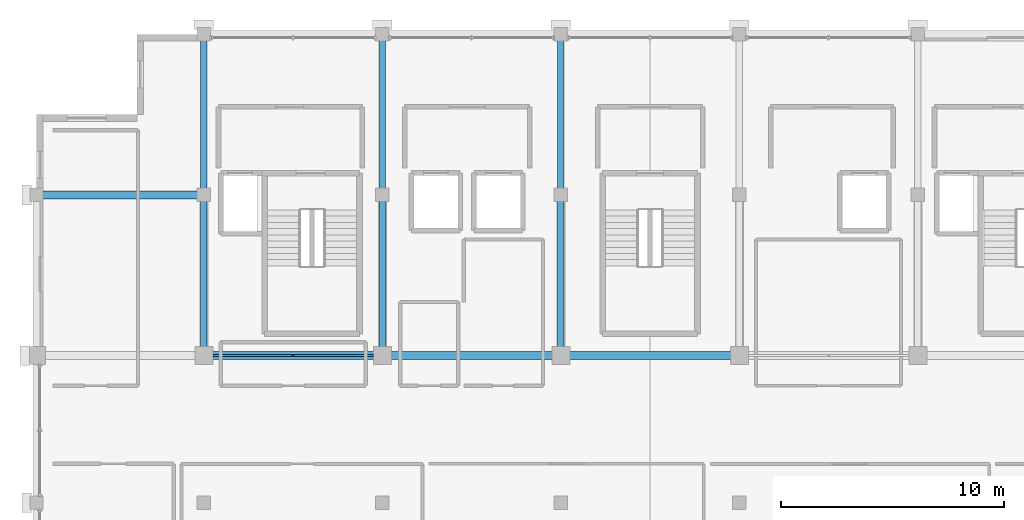
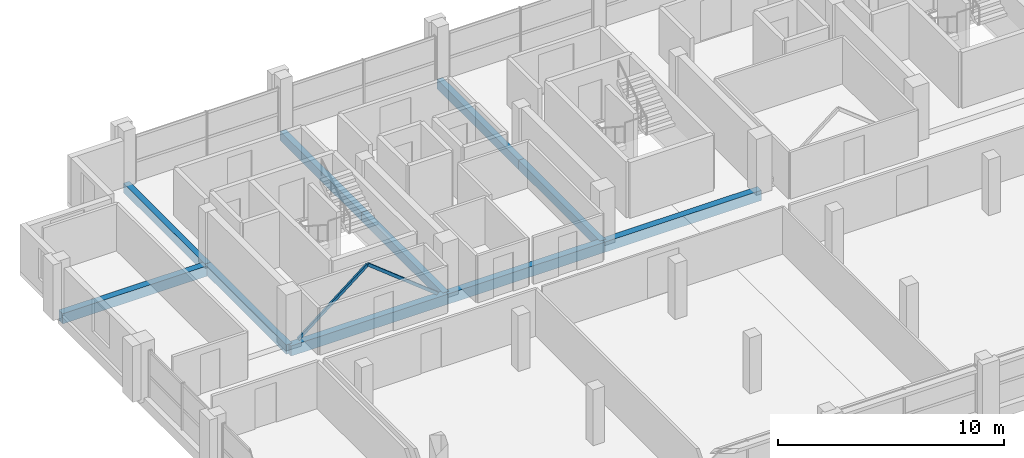
# One storey, part 8 of 24: 10 beams, 2 members.
"""IFC4 building model written with IfcOpenShell, lengths in metres."""

from ifc_helpers import new_model, si_unit, direction, frame, origin, origin_2d, place, context, subcontext, project, spatial, rectangle, hollow_rectangle, extrude, material, material_profile, profile_set, type_object, element, save


model = new_model("IFC4")

# Units and contexts
model_context = context("Model", 3, precision=1e-05, world=origin(), true_north=direction((0.0, 1.0)))
body_context = subcontext(model_context, "Body", "Model", "MODEL_VIEW")
ifc_project = project(units=[si_unit("LENGTHUNIT", "METRE"), si_unit("AREAUNIT", "SQUARE_METRE"), si_unit("VOLUMEUNIT", "CUBIC_METRE"), si_unit("PLANEANGLEUNIT", "RADIAN"), si_unit("MASSUNIT", "GRAM", prefix="KILO")], contexts=[model_context])

# Site, building, storey
site_placement = place(None, origin())
site = spatial("IfcSite", under=ifc_project, at=site_placement, CompositionType="ELEMENT")
building_placement = place(site_placement, origin())
building = spatial("IfcBuilding", under=site, at=building_placement, Name="Akrevak Sports Hall", CompositionType="ELEMENT")
storey_placement = place(building_placement, frame((0.0, 0.0, 63.300048828125)))
storey = spatial("IfcBuildingStorey", under=building, at=storey_placement, Name="L16", CompositionType="ELEMENT", Elevation=63.300048828125)

# Beams
ifc_material_1 = material(Name="Concrete C40/50", Category="concrete")
ifc_material_profile_1 = material_profile(ifc_material_1, rectangle(XDim=0.300048828125, YDim=0.5, at=origin_2d()), Name="BM 300x500", Category="concrete")
ifc_profile_set_1 = profile_set([ifc_material_profile_1], Name="Concrete C40/50")
beam_type_1 = type_object("IfcBeamType", Name="STR-BM-RC300x500", PredefinedType="BEAM", material=ifc_profile_set_1)
beam_1_placement = place(storey_placement, frame((60.0, 55.199951171875, -0.25), z_axis=(0.0, 1.0, 0.0), x_axis=(-1.0, 0.0, 0.0)))
element("IfcBeam", 1, at=beam_1_placement, inside=storey, type_object=beam_type_1, Name="Girder 9/I-J (L16)", PredefinedType="BEAM", context=body_context, shape_type="SweptSolid", body=[
    extrude(rectangle(XDim=0.300048828125, YDim=0.5, at=origin_2d()), origin(), (0.0, 0.0, 1.0), 7.199951171875),
])
beam_2_placement = place(storey_placement, frame((60.0, 62.39990234375, -0.25), z_axis=(0.0, 1.0, 0.0), x_axis=(-1.0, 0.0, 0.0)))
element("IfcBeam", 2, at=beam_2_placement, inside=storey, type_object=beam_type_1, Name="Girder 9/J-K (L16)", PredefinedType="BEAM", context=body_context, shape_type="SweptSolid", body=[
    extrude(rectangle(XDim=0.300048828125, YDim=0.5, at=origin_2d()), origin(), (0.0, 0.0, 1.0), 7.2001953125),
])
beam_3_placement = place(storey_placement, frame((68.0, 55.199951171875, -0.25), z_axis=(0.0, 1.0, 0.0), x_axis=(-1.0, 0.0, 0.0)))
element("IfcBeam", 3, at=beam_3_placement, inside=storey, type_object=beam_type_1, Name="Girder 10/I-J (L16)", PredefinedType="BEAM", context=body_context, shape_type="SweptSolid", body=[
    extrude(rectangle(XDim=0.300048828125, YDim=0.5, at=origin_2d()), origin(), (0.0, 0.0, 1.0), 7.199951171875),
])
beam_4_placement = place(storey_placement, frame((68.0, 62.39990234375, -0.25), z_axis=(0.0, 1.0, 0.0), x_axis=(-1.0, 0.0, 0.0)))
element("IfcBeam", 4, at=beam_4_placement, inside=storey, type_object=beam_type_1, Name="Girder 10/J-K (L16)", PredefinedType="BEAM", context=body_context, shape_type="SweptSolid", body=[
    extrude(rectangle(XDim=0.300048828125, YDim=0.5, at=origin_2d()), origin(), (0.0, 0.0, 1.0), 7.2001953125),
])
beam_5_placement = place(storey_placement, frame((76.0, 55.199951171875, -0.25), z_axis=(0.0, 1.0, 0.0), x_axis=(-1.0, 0.0, 0.0)))
element("IfcBeam", 5, at=beam_5_placement, inside=storey, type_object=beam_type_1, Name="Girder 11/I-J (L16)", PredefinedType="BEAM", context=body_context, shape_type="SweptSolid", body=[
    extrude(rectangle(XDim=0.300048828125, YDim=0.5, at=origin_2d()), origin(), (0.0, 0.0, 1.0), 7.199951171875),
])
beam_6_placement = place(storey_placement, frame((76.0, 62.39990234375, -0.25), z_axis=(0.0, 1.0, 0.0), x_axis=(-1.0, 0.0, 0.0)))
element("IfcBeam", 6, at=beam_6_placement, inside=storey, type_object=beam_type_1, Name="Girder 11/J-K (L16)", PredefinedType="BEAM", context=body_context, shape_type="SweptSolid", body=[
    extrude(rectangle(XDim=0.300048828125, YDim=0.5, at=origin_2d()), origin(), (0.0, 0.0, 1.0), 7.2001953125),
])
ifc_material_profile_2 = material_profile(ifc_material_1, rectangle(XDim=0.35009765625, YDim=0.550048828125, at=origin_2d()), Name="BM 350x550", Category="concrete")
ifc_profile_set_2 = profile_set([ifc_material_profile_2], Name="Concrete C40/50")
beam_type_2 = type_object("IfcBeamType", Name="STR-BM-RC350x550", PredefinedType="BEAM", material=ifc_profile_set_2)
for number, where, z_axis, x_axis, name in (
    (7, (60.0, 55.199951171875, -0.275146484375), (1.0, 0.0, 0.0), (0.0, 1.0, 0.0), "Girder I/9-10 (L16)"),
    (8, (68.0, 55.199951171875, -0.275146484375), (1.0, 0.0, 0.0), (0.0, 1.0, 0.0), "Girder I/10-11 (L16)"),
    (9, (76.0, 55.199951171875, -0.275146484375), (1.0, 0.0, 0.0), (0.0, 1.0, 0.0), "Girder I/11-12 (L16)"),
):
    element("IfcBeam", number, at=place(storey_placement, frame(where, z_axis=z_axis, x_axis=x_axis)), inside=storey, type_object=beam_type_2, Name=name, PredefinedType="BEAM", context=body_context, shape_type="SweptSolid", body=[
        extrude(rectangle(XDim=0.35009765625, YDim=0.550048828125, at=origin_2d()), origin(), (0.0, 0.0, 1.0), 8.0),
    ])
beam_7_placement = place(storey_placement, frame((52.5, 62.39990234375, -0.275146484375), z_axis=(1.0, 0.0, 0.0), x_axis=(0.0, 1.0, 0.0)))
element("IfcBeam", 10, at=beam_7_placement, inside=storey, type_object=beam_type_2, Name="Girder J/8-9 (L16)", PredefinedType="BEAM", context=body_context, shape_type="SweptSolid", body=[
    extrude(rectangle(XDim=0.35009765625, YDim=0.550048828125, at=origin_2d()), origin(), (0.0, 0.0, 1.0), 7.5),
])

# Members
ifc_material_2 = material(Name="Steel S355", Category="steel")
ifc_material_profile_3 = material_profile(ifc_material_2, hollow_rectangle(XDim=0.10009765625, YDim=0.14990234375, WallThickness=0.008056640625, at=origin_2d()), Name="RHS 150x100x8", Category="steel")
ifc_profile_set_3 = profile_set([ifc_material_profile_3], Name="Steel S355")
member_type = type_object("IfcMemberType", Name="STR-MEM-STR-RHS150", PredefinedType="BRACE", material=ifc_profile_set_3)
for number, where, z_axis, x_axis, name in (
    (11, (60.449951171875, 55.199951171875, 0.099853515625), (0.784088465774, 0.0, 0.620649077853), (0.0, 1.0, 0.0), "Tower Chevron Steel Brace L16-7A"),
    (12, (67.550048828125, 55.199951171875, 0.099853515625), (-0.784088465774, 0.0, 0.620649077853), (0.0, -1.0, 0.0), "Tower Chevron Steel Brace L16-7B"),
):
    element("IfcMember", number, at=place(storey_placement, frame(where, z_axis=z_axis, x_axis=x_axis)), inside=storey, type_object=member_type, Name=name, PredefinedType="BRACE", context=body_context, shape_type="SweptSolid", body=[
        extrude(hollow_rectangle(XDim=0.10009765625, YDim=0.14990234375, WallThickness=0.008056640625, at=origin_2d()), origin(), (0.0, 0.0, 1.0), 4.527587890625),
    ])

save(model, "model.ifc")
